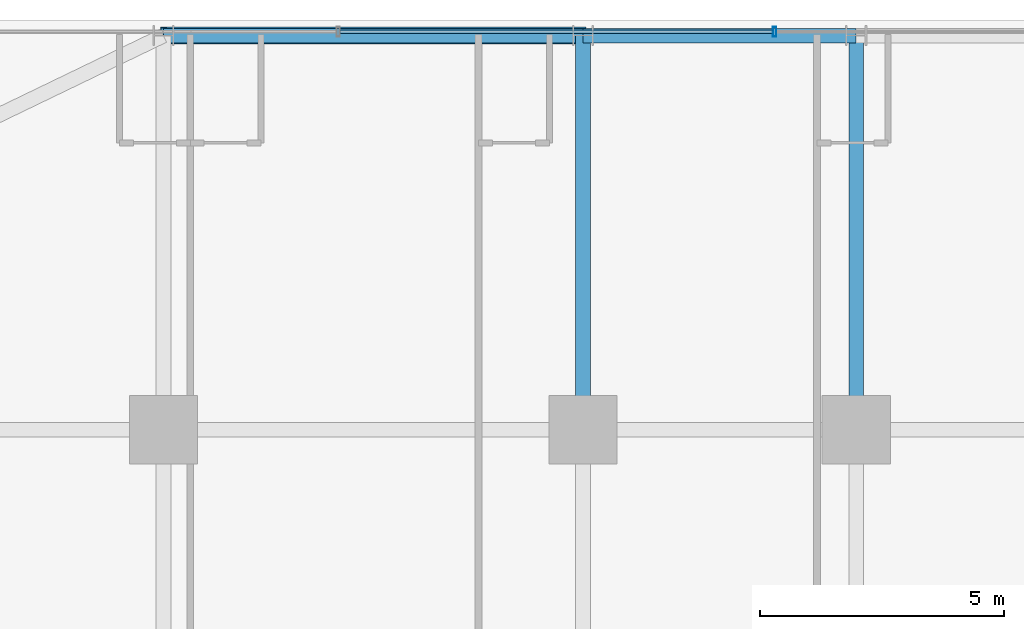
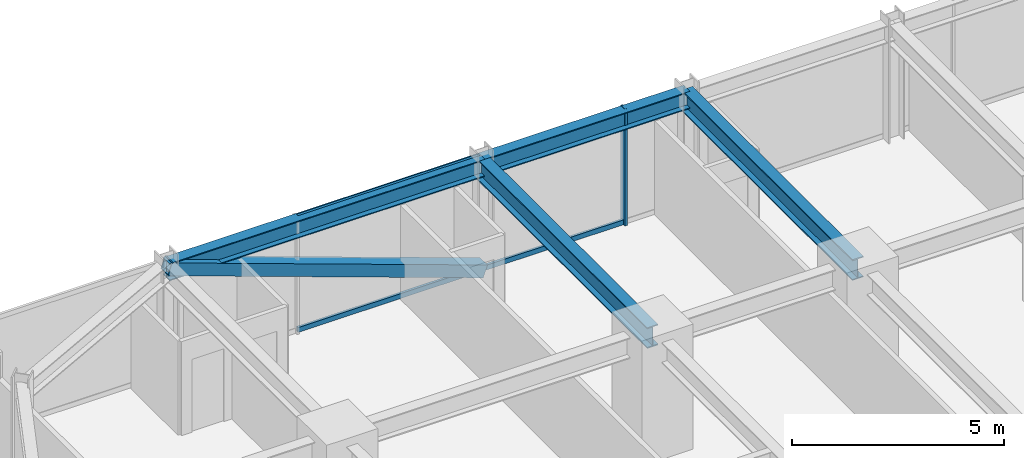
# One storey, part 26 of 43: 4 beams, 4 members, 1 element without a shape of its own.
"""IFC4 building model written with IfcOpenShell, lengths in metres."""

import ifcopenshell
import ifcopenshell.guid

model = None  # the IFC model being written
_history = None  # IfcOwnerHistory: only IFC2X3 demands one
_inside = {}  # id of a spatial element -> (the spatial element, [elements in it])
_under = {}  # id of a project, library or spatial element -> (it, [spatial elements below it])
_declared = {}  # id of a project -> (the project, [libraries it declares])
_typed = {}  # id of a type object -> (the type object, [elements of that type])
_made_of = {}  # id of a material, layer set ... -> (it, [elements and type objects made of it])


def new_model(schema):
    """Start an empty IFC model of exactly this schema.

    Asked for "IFC4X3", IfcOpenShell would pick the latest addendum, in which some entities
    have other attributes; the version numbers below select the first issue.
    IFC2X3 requires an IfcOwnerHistory on every rooted entity: one is made here for all.
    """
    global model, _history
    if schema == "IFC4X3":
        model = ifcopenshell.file(schema_version=(4, 3, 0, 0))
    else:
        model = ifcopenshell.file(schema=schema)
    _inside.clear()
    _under.clear()
    _declared.clear()
    _typed.clear()
    _made_of.clear()
    _history = None
    if model.schema == "IFC2X3":
        org = make("IfcOrganization", Name="unknown")
        user = make(
            "IfcPersonAndOrganization",
            ThePerson=make("IfcPerson", FamilyName="unknown"),
            TheOrganization=org,
        )
        app = make(
            "IfcApplication",
            ApplicationDeveloper=org,
            Version="unknown",
            ApplicationFullName="unknown",
            ApplicationIdentifier="unknown",
        )
        _history = make(
            "IfcOwnerHistory",
            OwningUser=user,
            OwningApplication=app,
            ChangeAction="ADDED",
            CreationDate=0,
        )
    return model


def make(cls, **values):
    """One entity of the class cls with the attributes given. An attribute that is None is left unset."""
    return model.create_entity(
        cls, **{name: value for name, value in values.items() if value is not None}
    )


def rooted(cls, **values):
    """An entity with a GlobalId (a new one), such as an element, a storey or a relation."""
    return make(cls, GlobalId=ifcopenshell.guid.new(), OwnerHistory=_history, **values)


def si_unit(unit_type, name, prefix=None):
    """IfcSIUnit, for example si_unit("LENGTHUNIT", "METRE", prefix="MILLI")."""
    return make("IfcSIUnit", UnitType=unit_type, Prefix=prefix, Name=name)


def assignment(units):
    """IfcUnitAssignment: the units of a project."""
    return None if units is None else make("IfcUnitAssignment", Units=units)


def point(xyz):
    """IfcCartesianPoint."""
    return None if xyz is None else make("IfcCartesianPoint", Coordinates=xyz)


def direction(xyz):
    """IfcDirection."""
    return None if xyz is None else make("IfcDirection", DirectionRatios=xyz)


def frame(location, z_axis=None, x_axis=None):
    """IfcAxis2Placement3D, a coordinate frame: its origin and axes. An axis left out is left unset."""
    return make(
        "IfcAxis2Placement3D",
        Location=point(location),
        Axis=direction(z_axis),
        RefDirection=direction(x_axis),
    )


def frame_2d(location, x_axis=None):
    """IfcAxis2Placement2D, a coordinate frame in the plane: its origin and x axis."""
    return make(
        "IfcAxis2Placement2D", Location=point(location), RefDirection=direction(x_axis)
    )


def origin():
    """The frame at (0, 0, 0) with its axes left unset."""
    return frame((0.0, 0.0, 0.0))


def origin_2d():
    """The frame at (0, 0) in the plane with its x axis left unset."""
    return frame_2d((0.0, 0.0))


def place(relative_to, where):
    """IfcLocalPlacement: puts the frame where relative to a parent placement (None: the world)."""
    return make(
        "IfcLocalPlacement", PlacementRelTo=relative_to, RelativePlacement=where
    )


def context(
    kind, dimensions, precision=None, world=None, true_north=None, identifier=None
):
    """IfcGeometricRepresentationContext, for example the 3D "Model" context."""
    return make(
        "IfcGeometricRepresentationContext",
        ContextIdentifier=identifier,
        ContextType=kind,
        CoordinateSpaceDimension=dimensions,
        Precision=precision,
        WorldCoordinateSystem=world,
        TrueNorth=true_north,
    )


def subcontext(parent, identifier, kind, view, scale=None):
    """IfcGeometricRepresentationSubContext, for example "Body" below "Model"."""
    return make(
        "IfcGeometricRepresentationSubContext",
        ContextIdentifier=identifier,
        ContextType=kind,
        ParentContext=parent,
        TargetScale=scale,
        TargetView=view,
    )


def project(units=None, contexts=None):
    """IfcProject with its units and contexts."""
    return rooted(
        "IfcProject",
        Name="project",
        RepresentationContexts=contexts,
        UnitsInContext=assignment(units),
    )


def spatial(cls, under=None, at=None, **own):
    """A site, building, storey or space (cls), placed at a placement, below another one or the project."""
    s = rooted(cls, ObjectPlacement=at, **own)
    if under is not None:
        _under.setdefault(under.id(), (under, []))[1].append(s)
    return s


def profile(cls, at=None, kind="AREA", **sizes):
    """A parametric profile (cls). Its sizes go by their IFC names, for example OverallWidth=200.0."""
    return make(cls, ProfileType=kind, Position=at, **sizes)


def hollow_rectangle(**sizes):
    """IfcRectangleHollowProfileDef."""
    return profile("IfcRectangleHollowProfileDef", **sizes)


def i_section(**sizes):
    """IfcIShapeProfileDef."""
    return profile("IfcIShapeProfileDef", **sizes)


def extrude(swept, where, along, depth):
    """IfcExtrudedAreaSolid: the profile swept, set in the frame where, extruded along a direction by depth."""
    return make(
        "IfcExtrudedAreaSolid",
        SweptArea=swept,
        Position=where,
        ExtrudedDirection=direction(along),
        Depth=depth,
    )


def shape(context_of_items, identifier, shape_type, items):
    """IfcShapeRepresentation: the items that make up one representation, for example the "Body"."""
    return make(
        "IfcShapeRepresentation",
        ContextOfItems=context_of_items,
        RepresentationIdentifier=identifier,
        RepresentationType=shape_type,
        Items=items,
    )


def source(mapping_origin, context_of_items, identifier, shape_type, items):
    """IfcRepresentationMap: a shape defined once, which mapped items show again and again."""
    return make(
        "IfcRepresentationMap",
        MappingOrigin=mapping_origin,
        MappedRepresentation=shape(context_of_items, identifier, shape_type, items),
    )


def transform(
    local_origin,
    x_axis=None,
    y_axis=None,
    z_axis=None,
    scale=None,
    scale2=None,
    scale3=None,
    uniform=True,
):
    """IfcCartesianTransformationOperator3D, or its non-uniform kind. x_axis, y_axis, z_axis: its Axis1, 2, 3."""
    if uniform:
        return make(
            "IfcCartesianTransformationOperator3D",
            Axis1=direction(x_axis),
            Axis2=direction(y_axis),
            LocalOrigin=point(local_origin),
            Scale=scale,
            Axis3=direction(z_axis),
        )
    return make(
        "IfcCartesianTransformationOperator3DnonUniform",
        Axis1=direction(x_axis),
        Axis2=direction(y_axis),
        LocalOrigin=point(local_origin),
        Scale=scale,
        Axis3=direction(z_axis),
        Scale2=scale2,
        Scale3=scale3,
    )


def mapped(mapping_source, mapping_target):
    """IfcMappedItem: shows the shape of a source again, moved by a transform."""
    return make(
        "IfcMappedItem", MappingSource=mapping_source, MappingTarget=mapping_target
    )


def material(Name=None, Category=None):
    """IfcMaterial."""
    return make("IfcMaterial", Name=Name, Category=Category)


def material_profile(
    of_material, cross_section, Name=None, Category=None, Priority=None
):
    """IfcMaterialProfile: a cross section and its material."""
    return make(
        "IfcMaterialProfile",
        Name=Name,
        Material=of_material,
        Profile=cross_section,
        Priority=Priority,
        Category=Category,
    )


def profile_set(profiles, Name=None, composite=None):
    """IfcMaterialProfileSet."""
    return make(
        "IfcMaterialProfileSet",
        Name=Name,
        MaterialProfiles=profiles,
        CompositeProfile=composite,
    )


def made_of(thing, what):
    """Note that an element or type object is made of a material, layer set ...; save() writes the relation."""
    if what is not None:
        _made_of.setdefault(what.id(), (what, []))[1].append(thing)
    return thing


def type_object(cls, material=None, **own):
    """A type object (cls), such as IfcWallType, which elements share."""
    return made_of(rooted(cls, **own), material)


def element(
    cls,
    number,
    at=None,
    inside=None,
    cuts=None,
    type_object=None,
    material=None,
    context=None,
    identifier="Body",
    shape_type=None,
    held_by="IfcProductDefinitionShape",
    body=None,
    shapes=None,
    **own,
):
    """One element of the class cls, such as IfcWall. Its Tag is "e" and its number.

    at: its placement. inside: the storey or other place that contains it. cuts: it is an
    opening in that element (IfcRelVoidsElement). A single representation is given by context,
    identifier, shape_type and body (its items); several are given by shapes. held_by: the class
    of the entity that holds the representations. save() writes the other relations.
    """
    e = rooted(cls, Tag="e%d" % number, ObjectPlacement=at, **own)
    if body is not None:
        shapes = [shape(context, identifier, shape_type, body)]
    if shapes is not None:
        e.Representation = make(held_by, Representations=shapes)
    if inside is not None:
        _inside.setdefault(inside.id(), (inside, []))[1].append(e)
    if cuts is not None:
        rooted(
            "IfcRelVoidsElement", RelatingBuildingElement=cuts, RelatedOpeningElement=e
        )
    if type_object is not None:
        _typed.setdefault(type_object.id(), (type_object, []))[1].append(e)
    return made_of(e, material)


def aggregate(whole, parts):
    """IfcRelAggregates: a whole, such as a stair, and the parts it consists of."""
    return rooted("IfcRelAggregates", RelatingObject=whole, RelatedObjects=parts)


def save(model, path):
    """Write the relations noted so far, then the file.

    IfcRelAggregates (storeys below a building ...), IfcRelContainedInSpatialStructure (elements
    in a storey), IfcRelDefinesByType, IfcRelAssociatesMaterial and IfcRelDeclares: one each for
    every whole, place, type object, material and project.
    """
    for whole, parts in _under.values():
        aggregate(whole, parts)
    for where, things in _inside.values():
        rooted(
            "IfcRelContainedInSpatialStructure",
            RelatedElements=things,
            RelatingStructure=where,
        )
    for kind, things in _typed.values():
        rooted("IfcRelDefinesByType", RelatedObjects=things, RelatingType=kind)
    for what, things in _made_of.values():
        rooted("IfcRelAssociatesMaterial", RelatedObjects=things, RelatingMaterial=what)
    for by, libraries in _declared.values():
        rooted("IfcRelDeclares", RelatingContext=by, RelatedDefinitions=libraries)
    model.write(path)


model = new_model("IFC4")

# Units and contexts
model_context = context("Model", 3, precision=1e-05, world=origin(), true_north=direction((0.0, 1.0)))
body_context = subcontext(model_context, "Body", "Model", "MODEL_VIEW")
ifc_project = project(units=[si_unit("LENGTHUNIT", "METRE"), si_unit("AREAUNIT", "SQUARE_METRE"), si_unit("VOLUMEUNIT", "CUBIC_METRE"), si_unit("PLANEANGLEUNIT", "RADIAN"), si_unit("MASSUNIT", "GRAM", prefix="KILO")], contexts=[model_context])

# Site, building, storey
site_placement = place(None, origin())
site = spatial("IfcSite", under=ifc_project, at=site_placement, CompositionType="ELEMENT")
building_placement = place(site_placement, origin())
building = spatial("IfcBuilding", under=site, at=building_placement, Name="Nahalor Promenade Grand Hotel", CompositionType="ELEMENT")
storey_placement = place(building_placement, frame((0.0, 0.0, 57.949951171875)))
storey = spatial("IfcBuildingStorey", under=building, at=storey_placement, Name="L13", CompositionType="ELEMENT", Elevation=57.949951171875)

# Beams
ifc_material_1 = material(Name="Steel S355JR", Category="steel")
ifc_material_profile_1 = material_profile(ifc_material_1, i_section(OverallWidth=0.3, OverallDepth=0.5, WebThickness=0.0145, FlangeThickness=0.028, at=origin_2d()), Name="HEB 500")
ifc_profile_set_1 = profile_set([ifc_material_profile_1], Name="Steel S355JR")
beam_type_1 = type_object("IfcBeamType", Name="Beam-Spandrel-HEB500", PredefinedType="SPANDREL", material=ifc_profile_set_1)
shared_shape_1 = source(origin(), body_context, "Body", "SweptSolid", [
    extrude(i_section(OverallWidth=0.3, OverallDepth=0.5, WebThickness=0.0145, FlangeThickness=0.028, at=origin_2d()), origin(), (0.0, 0.0, 1.0), 8.60009765625),
])
beam_1_placement = place(storey_placement, frame((-17.0, 25.080078125, 3.1201171875), z_axis=(1.0, 0.0, 0.0), x_axis=(0.0, 1.0, 0.0)))
element("IfcBeam", 1, at=beam_1_placement, inside=storey, type_object=beam_type_1, Name="BM-L13-SP-N-0", PredefinedType="SPANDREL", context=body_context, shape_type="MappedRepresentation", body=[
    mapped(shared_shape_1, transform((0.0, 0.0, 0.0), scale=1.0)),
])
shared_shape_2 = source(origin(), body_context, "Body", "SweptSolid", [
    extrude(i_section(OverallWidth=0.3, OverallDepth=0.5, WebThickness=0.0145, FlangeThickness=0.028, at=origin_2d()), origin(), (0.0, 0.0, 1.0), 5.599853515625),
])
beam_2_placement = place(storey_placement, frame((-8.39990234375, 25.080078125, 3.1201171875), z_axis=(1.0, 0.0, 0.0), x_axis=(0.0, 1.0, 0.0)))
element("IfcBeam", 2, at=beam_2_placement, inside=storey, type_object=beam_type_1, Name="BM-L13-SP-N-1", PredefinedType="SPANDREL", context=body_context, shape_type="MappedRepresentation", body=[
    mapped(shared_shape_2, transform((0.0, 0.0, 0.0), scale=1.0)),
])
ifc_material_profile_2 = material_profile(ifc_material_1, i_section(OverallWidth=0.3, OverallDepth=0.6, WebThickness=0.0155, FlangeThickness=0.03, at=origin_2d()), Name="HEB 600")
ifc_profile_set_2 = profile_set([ifc_material_profile_2], Name="Steel S355JR")
beam_type_2 = type_object("IfcBeamType", Name="Beam-Girder-HEB600", PredefinedType="BEAM", material=ifc_profile_set_2)
shared_shape_3 = source(origin(), body_context, "Body", "SweptSolid", [
    extrude(i_section(OverallWidth=0.3, OverallDepth=0.6, WebThickness=0.0155, FlangeThickness=0.03, at=origin_2d()), origin(), (0.0, 0.0, 1.0), 8.080078125),
])
for number, where, z_axis, x_axis, name in (
    (3, (-8.39990234375, 17.0, 3.070068359375), (0.0, 1.0, 0.0), (-1.0, 0.0, 0.0), "BM-L13-GY-1-4"),
    (4, (-2.800048828125, 17.0, 3.070068359375), (0.0, 1.0, 0.0), (-1.0, 0.0, 0.0), "BM-L13-GY-2-4"),
):
    element("IfcBeam", number, at=place(storey_placement, frame(where, z_axis=z_axis, x_axis=x_axis)), inside=storey, type_object=beam_type_2, Name=name, PredefinedType="BEAM", context=body_context, shape_type="MappedRepresentation", body=[
        mapped(shared_shape_3, transform((0.0, 0.0, 0.0), scale=1.0)),
    ])

# Member
ifc_material_profile_3 = material_profile(ifc_material_1, hollow_rectangle(XDim=0.35, YDim=0.35, WallThickness=0.02, at=origin_2d()), Name="SHS 350x350x20")
ifc_profile_set_3 = profile_set([ifc_material_profile_3], Name="Steel S355JR")
member_type_1 = type_object("IfcMemberType", Name="Mem-VoidBrace-SHS350", PredefinedType="BRACE", material=ifc_profile_set_3)
shared_shape_4 = source(origin(), body_context, "Body", "SweptSolid", [
    extrude(hollow_rectangle(XDim=0.35, YDim=0.35, WallThickness=0.02, at=origin_2d()), origin(), (0.0, 0.0, 1.0), 9.131591796875),
])
member_1_placement = place(storey_placement, frame((-8.39990234375, 25.080078125, 0.150146484375), z_axis=(-0.941798757288, 0.0, 0.336177186571), x_axis=(0.0, -1.0, 0.0)))
element("IfcMember", 5, at=member_1_placement, inside=storey, type_object=member_type_1, Name="EXO-L13-N-0", PredefinedType="BRACE", context=body_context, shape_type="MappedRepresentation", body=[
    mapped(shared_shape_4, transform((0.0, 0.0, 0.0), scale=1.0)),
])

# Curtain wall, members
ifc_material_2 = material(Name="Anodised Bronze Aluminium EN AW-6063 T6", Category="aluminium")
curtain_wall_type = type_object("IfcCurtainWallType", Name="CW3 Elliptical-Void Collar Unitised Curtain Wall", PredefinedType="USERDEFINED", material=ifc_material_2)
curtain_wall_placement = place(storey_placement, origin())
curtain_wall = element("IfcCurtainWall", 6, at=curtain_wall_placement, inside=storey, type_object=curtain_wall_type, Name="L13 Curtain Wall CW-L13-N-1", ObjectType="UNITISED_CURTAIN_WALL", PredefinedType="USERDEFINED")
ifc_material_profile_4 = material_profile(ifc_material_2, hollow_rectangle(XDim=0.07, YDim=0.14, WallThickness=0.004, at=origin_2d()), Name="CWT 70x140x4")
ifc_profile_set_4 = profile_set([ifc_material_profile_4], Name="Anodised Bronze Aluminium EN AW-6063 T6")
member_type_2 = type_object("IfcMemberType", Name="CWT3 Void Collar Transom 70x140", PredefinedType="USERDEFINED", material=ifc_profile_set_4)
shared_shape_5 = source(origin(), body_context, "Body", "SweptSolid", [
    extrude(hollow_rectangle(XDim=0.07, YDim=0.14, WallThickness=0.004, at=origin_2d()), origin(), (0.0, 0.0, 1.0), 8.8740234375),
])
member_2_placement = place(storey_placement, frame((-13.381103515625, 25.159912109375, 0.070068359375), z_axis=(1.0, 0.0, 0.0), x_axis=(0.0, 1.0, 0.0)))
member_2 = element("IfcMember", 7, at=member_2_placement, type_object=member_type_2, Name="CW-L13-N-1 Transom 1-0", ObjectType="TRANSOM", PredefinedType="USERDEFINED", context=body_context, shape_type="MappedRepresentation", body=[
    mapped(shared_shape_5, transform((0.0, 0.0, 0.0), scale=1.0)),
])
member_3_placement = place(storey_placement, frame((-13.381103515625, 25.159912109375, 3.300048828125), z_axis=(1.0, 0.0, 0.0), x_axis=(0.0, 1.0, 0.0)))
member_3 = element("IfcMember", 8, at=member_3_placement, type_object=member_type_2, Name="CW-L13-N-1 Transom 1-1", ObjectType="TRANSOM", PredefinedType="USERDEFINED", context=body_context, shape_type="MappedRepresentation", body=[
    mapped(shared_shape_5, transform((0.0, 0.0, 0.0), scale=1.0)),
])
ifc_material_profile_5 = material_profile(ifc_material_2, hollow_rectangle(XDim=0.07, YDim=0.2, WallThickness=0.005, at=origin_2d()), Name="CWM 70x200x5")
ifc_profile_set_5 = profile_set([ifc_material_profile_5], Name="Anodised Bronze Aluminium EN AW-6063 T6")
member_type_3 = type_object("IfcMemberType", Name="CWM3 Void Collar Mullion 70x200", PredefinedType="MULLION", material=ifc_profile_set_5)
shared_shape_6 = source(origin(), body_context, "Body", "SweptSolid", [
    extrude(hollow_rectangle(XDim=0.07, YDim=0.2, WallThickness=0.005, at=origin_2d()), origin(), (0.0, 0.0, 1.0), 3.3701171875),
])
member_4_placement = place(storey_placement, frame((-4.471923828125, 25.159912109375, 0.0), z_axis=(0.0, 0.0, 1.0), x_axis=(1.0, 0.0, 0.0)))
member_4 = element("IfcMember", 9, at=member_4_placement, type_object=member_type_3, Name="CW-L13-N-1 Mullion 2", PredefinedType="MULLION", context=body_context, shape_type="MappedRepresentation", body=[
    mapped(shared_shape_6, transform((0.0, 0.0, 0.0), scale=1.0)),
])
aggregate(curtain_wall, [member_4, member_2, member_3])

save(model, "model.ifc")
